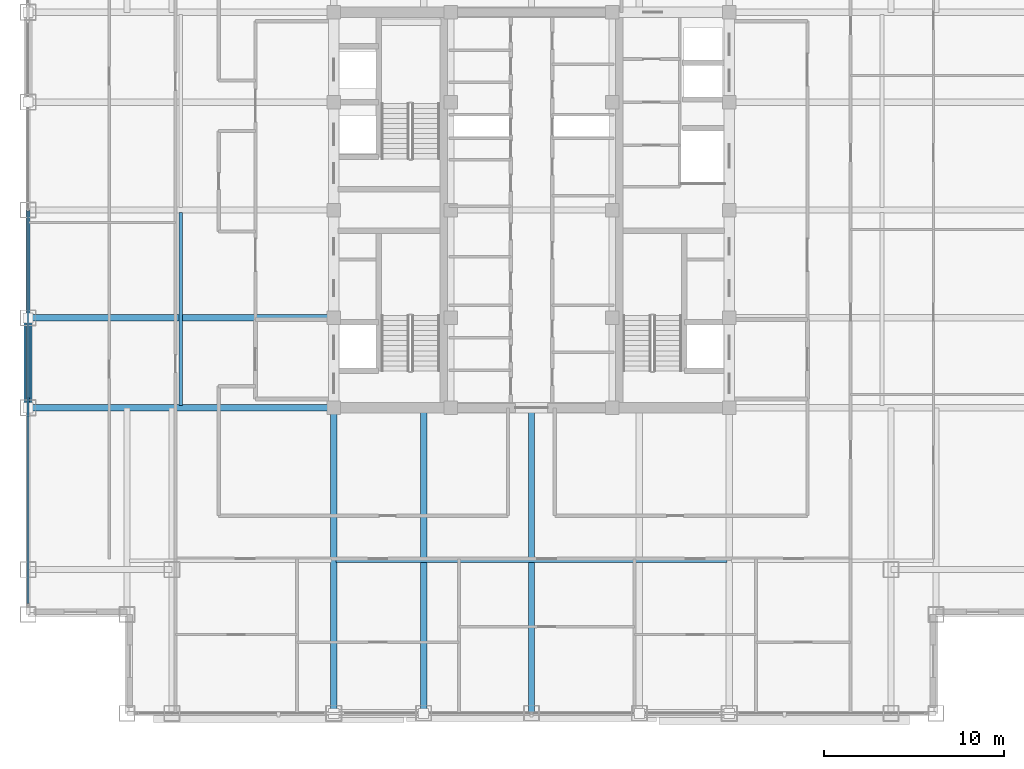
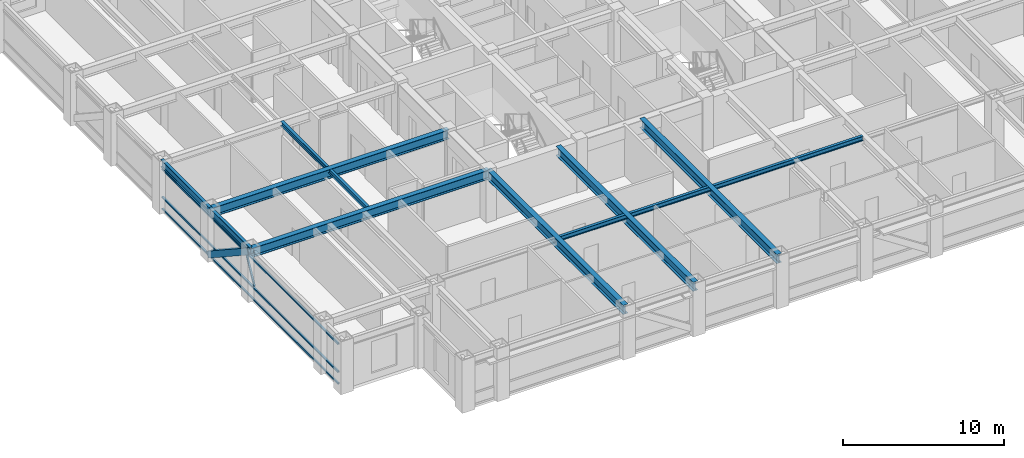
# One storey, part 5 of 27: 9 beams, 5 members, 1 element without a shape of its own.
"""IFC4 building model written with IfcOpenShell, lengths in metres."""

from ifc_helpers import new_model, si_unit, direction, frame, origin, origin_2d, place, context, subcontext, project, spatial, hollow_rectangle, i_section, extrude, source, transform, mapped, material, material_profile, profile_set, type_object, element, aggregate, save


model = new_model("IFC4")

# Units and contexts
model_context = context("Model", 3, precision=1e-05, world=origin(), true_north=direction((0.0, 1.0)))
body_context = subcontext(model_context, "Body", "Model", "MODEL_VIEW")
ifc_project = project(units=[si_unit("LENGTHUNIT", "METRE"), si_unit("AREAUNIT", "SQUARE_METRE"), si_unit("VOLUMEUNIT", "CUBIC_METRE"), si_unit("PLANEANGLEUNIT", "RADIAN"), si_unit("MASSUNIT", "GRAM", prefix="KILO")], contexts=[model_context])

# Site, building, storey
site_placement = place(None, origin())
site = spatial("IfcSite", under=ifc_project, at=site_placement, CompositionType="ELEMENT")
building_placement = place(site_placement, origin())
building = spatial("IfcBuilding", under=site, at=building_placement, Name="Khorayat Bourse Tower", CompositionType="ELEMENT")
storey_placement = place(building_placement, frame((0.0, 0.0, 285.5)))
storey = spatial("IfcBuildingStorey", under=building, at=storey_placement, Name="L67", CompositionType="ELEMENT", Elevation=285.5)

# Member
ifc_material_1 = material(Name="Steel EN 10025-4 S460M", Category="steel")
ifc_material_profile_1 = material_profile(ifc_material_1, hollow_rectangle(XDim=0.449951171875, YDim=0.449951171875, WallThickness=0.02490234375, at=origin_2d()), Name="HSS 450x450x25")
ifc_profile_set_1 = profile_set([ifc_material_profile_1], Name="Steel EN 10025-4 S460M")
member_type_1 = type_object("IfcMemberType", Name="MBR-TUBE-450", PredefinedType="BRACE", material=ifc_profile_set_1)
shared_shape_1 = source(origin(), body_context, "Body", "SweptSolid", [
    extrude(hollow_rectangle(XDim=0.449951171875, YDim=0.449951171875, WallThickness=0.02490234375, at=origin_2d()), origin(), (0.0, 0.0, 1.0), 5.979736328125),
])
member_1_placement = place(storey_placement, frame((-28.0, -11.0, 3.530029296875), z_axis=(0.0, 0.836141536525, -0.548513747227), x_axis=(-1.0, 0.0, 0.0)))
element("IfcMember", 1, at=member_1_placement, inside=storey, type_object=member_type_1, Name="L67 Perimeter Tube Brace 05", PredefinedType="BRACE", context=body_context, shape_type="MappedRepresentation", body=[
    mapped(shared_shape_1, transform((0.0, 0.0, 0.0), scale=1.0)),
])

# Beams
ifc_material_2 = material(Name="Steel ASTM A992 Grade 50", Category="steel")
ifc_material_profile_2 = material_profile(ifc_material_2, i_section(OverallWidth=0.35498046875, OverallDepth=0.695068359375, WebThickness=0.015380859375, FlangeThickness=0.02490234375, FilletRadius=0.01806640625, at=origin_2d()), Name="W690X217")
ifc_profile_set_2 = profile_set([ifc_material_profile_2], Name="Steel ASTM A992 Grade 50")
beam_type_1 = type_object("IfcBeamType", Name="BM-GIRD-690", PredefinedType="BEAM", material=ifc_profile_set_2)
shared_shape_2 = source(origin(), body_context, "Body", "SweptSolid", [
    extrude(i_section(OverallWidth=0.35498046875, OverallDepth=0.695068359375, WebThickness=0.015380859375, FlangeThickness=0.02490234375, FilletRadius=0.01806640625, at=origin_2d()), origin(), (0.0, 0.0, 1.0), 17.0),
])
for number, where, z_axis, x_axis, name in (
    (2, (-11.0, -28.0, 3.4326171875), (0.0, 1.0, 0.0), (-1.0, 0.0, 0.0), "L67 BM-GIRD-690 BM-L67-RADY-065"),
    (3, (-6.0, -28.0, 3.4326171875), (0.0, 1.0, 0.0), (-1.0, 0.0, 0.0), "L67 BM-GIRD-690 BM-L67-RADY-067"),
    (4, (0.0, -28.0, 3.4326171875), (0.0, 1.0, 0.0), (-1.0, 0.0, 0.0), "L67 BM-GIRD-690 BM-L67-RADY-069"),
    (5, (-28.0, -11.0, 3.4326171875), (1.0, 0.0, 0.0), (0.0, 1.0, 0.0), "L67 BM-GIRD-690 BM-L67-RADX-075"),
    (6, (-28.0, -6.0, 3.4326171875), (1.0, 0.0, 0.0), (0.0, 1.0, 0.0), "L67 BM-GIRD-690 BM-L67-RADX-077"),
):
    element("IfcBeam", number, at=place(storey_placement, frame(where, z_axis=z_axis, x_axis=x_axis)), inside=storey, type_object=beam_type_1, Name=name, PredefinedType="BEAM", context=body_context, shape_type="MappedRepresentation", body=[
        mapped(shared_shape_2, transform((0.0, 0.0, 0.0), scale=1.0)),
    ])
ifc_material_profile_3 = material_profile(ifc_material_2, i_section(OverallWidth=0.202880859375, OverallDepth=0.346923828125, WebThickness=0.0078125, FlangeThickness=0.013427734375, FilletRadius=0.010009765625, at=origin_2d()), Name="W360X64")
ifc_profile_set_3 = profile_set([ifc_material_profile_3], Name="Steel ASTM A992 Grade 50")
beam_type_2 = type_object("IfcBeamType", Name="BM-JOIST-360", PredefinedType="JOIST", material=ifc_profile_set_3)
shared_shape_3 = source(origin(), body_context, "Body", "SweptSolid", [
    extrude(i_section(OverallWidth=0.202880859375, OverallDepth=0.346923828125, WebThickness=0.0078125, FlangeThickness=0.013427734375, FilletRadius=0.010009765625, at=origin_2d()), origin(), (0.0, 0.0, 1.0), 21.740234375),
])
beam_1_placement = place(storey_placement, frame((-10.8701171875, -19.5, 3.6064453125), z_axis=(1.0, 0.0, 0.0), x_axis=(0.0, 1.0, 0.0)))
element("IfcBeam", 7, at=beam_1_placement, inside=storey, type_object=beam_type_2, Name="L67 BM-JOIST-360 BM-L67-JSTX-097", PredefinedType="JOIST", context=body_context, shape_type="MappedRepresentation", body=[
    mapped(shared_shape_3, transform((0.0, 0.0, 0.0), scale=1.0)),
])
shared_shape_4 = source(origin(), body_context, "Body", "SweptSolid", [
    extrude(i_section(OverallWidth=0.202880859375, OverallDepth=0.346923828125, WebThickness=0.0078125, FlangeThickness=0.013427734375, FilletRadius=0.010009765625, at=origin_2d()), origin(), (0.0, 0.0, 1.0), 10.740234375),
])
beam_2_placement = place(storey_placement, frame((-19.5, -10.8701171875, 3.6064453125), z_axis=(0.0, 1.0, 0.0), x_axis=(-1.0, 0.0, 0.0)))
element("IfcBeam", 8, at=beam_2_placement, inside=storey, type_object=beam_type_2, Name="L67 BM-JOIST-360 BM-L67-JSTY-102", PredefinedType="JOIST", context=body_context, shape_type="MappedRepresentation", body=[
    mapped(shared_shape_4, transform((0.0, 0.0, 0.0), scale=1.0)),
])
ifc_material_profile_4 = material_profile(ifc_material_2, i_section(OverallWidth=0.214111328125, OverallDepth=0.549072265625, WebThickness=0.0146484375, FlangeThickness=0.023681640625, FilletRadius=0.013916015625, at=origin_2d()), Name="W530X138")
ifc_profile_set_4 = profile_set([ifc_material_profile_4], Name="Steel ASTM A992 Grade 50")
beam_type_3 = type_object("IfcBeamType", Name="BM-SPAN-530", PredefinedType="SPANDREL", material=ifc_profile_set_4)
shared_shape_5 = source(origin(), body_context, "Body", "SweptSolid", [
    extrude(i_section(OverallWidth=0.214111328125, OverallDepth=0.549072265625, WebThickness=0.0146484375, FlangeThickness=0.023681640625, FilletRadius=0.013916015625, at=origin_2d()), origin(), (0.0, 0.0, 1.0), 5.0),
])
beam_3_placement = place(storey_placement, frame((-28.0, -11.0, 3.505615234375), z_axis=(0.0, 1.0, 0.0), x_axis=(-1.0, 0.0, 0.0)))
element("IfcBeam", 9, at=beam_3_placement, inside=storey, type_object=beam_type_3, Name="L67 BM-SPAN-530 BM-L67-SPN-059", PredefinedType="SPANDREL", context=body_context, shape_type="MappedRepresentation", body=[
    mapped(shared_shape_5, transform((0.0, 0.0, 0.0), scale=1.0)),
])
shared_shape_6 = source(origin(), body_context, "Body", "SweptSolid", [
    extrude(i_section(OverallWidth=0.214111328125, OverallDepth=0.549072265625, WebThickness=0.0146484375, FlangeThickness=0.023681640625, FilletRadius=0.013916015625, at=origin_2d()), origin(), (0.0, 0.0, 1.0), 6.0),
])
beam_4_placement = place(storey_placement, frame((-28.0, -6.0, 3.505615234375), z_axis=(0.0, 1.0, 0.0), x_axis=(-1.0, 0.0, 0.0)))
element("IfcBeam", 10, at=beam_4_placement, inside=storey, type_object=beam_type_3, Name="L67 BM-SPAN-530 BM-L67-SPN-058", PredefinedType="SPANDREL", context=body_context, shape_type="MappedRepresentation", body=[
    mapped(shared_shape_6, transform((0.0, 0.0, 0.0), scale=1.0)),
])

# Curtain wall, members
ifc_material_3 = material(Name="Aluminium EN AW-6063 T6", Category="aluminium")
curtain_wall_type = type_object("IfcCurtainWallType", Name="CW-SYS-04", PredefinedType="NOTDEFINED", material=ifc_material_3)
curtain_wall_placement = place(storey_placement, origin())
curtain_wall = element("IfcCurtainWall", 11, at=curtain_wall_placement, inside=storey, type_object=curtain_wall_type, Name="L67 Curtain Wall CW-L67-W1", PredefinedType="NOTDEFINED")
ifc_material_profile_5 = material_profile(ifc_material_3, hollow_rectangle(XDim=0.1201171875, YDim=0.1201171875, WallThickness=0.0048828125, at=origin_2d()), Name="ALU 120x120x5")
ifc_profile_set_5 = profile_set([ifc_material_profile_5], Name="Aluminium EN AW-6063 T6")
member_type_2 = type_object("IfcMemberType", Name="CWM-DIAG-120", PredefinedType="MULLION", material=ifc_profile_set_5)
shared_shape_7 = source(origin(), body_context, "Body", "SweptSolid", [
    extrude(hollow_rectangle(XDim=0.1201171875, YDim=0.1201171875, WallThickness=0.0048828125, at=origin_2d()), origin(), (0.0, 0.0, 1.0), 2.0791015625),
])
member_2_placement = place(storey_placement, frame((-28.0, -11.4541015625, 1.090087890625), z_axis=(0.0, 0.465717394116, 0.884933505309), x_axis=(-1.0, 0.0, 0.0)))
member_2 = element("IfcMember", 12, at=member_2_placement, type_object=member_type_2, Name="CW-L67-W1 Faceted Diagonal Mullion 1", PredefinedType="MULLION", context=body_context, shape_type="MappedRepresentation", body=[
    mapped(shared_shape_7, transform((0.0, 0.0, 0.0), scale=1.0)),
])
ifc_material_profile_6 = material_profile(ifc_material_3, hollow_rectangle(XDim=0.1201171875, YDim=0.1201171875, WallThickness=0.0048828125, at=origin_2d()), Name="ALU 120x120x5")
ifc_profile_set_6 = profile_set([ifc_material_profile_6], Name="Aluminium EN AW-6063 T6")
member_type_3 = type_object("IfcMemberType", Name="CWT-HORZ-120", PredefinedType="USERDEFINED", material=ifc_profile_set_6)
shared_shape_8 = source(origin(), body_context, "Body", "SweptSolid", [
    extrude(hollow_rectangle(XDim=0.1201171875, YDim=0.1201171875, WallThickness=0.0048828125, at=origin_2d()), origin(), (0.0, 0.0, 1.0), 21.81982421875),
])
member_3_placement = place(storey_placement, frame((-28.0, -21.8798828125, 0.06005859375), z_axis=(0.0, 1.0, 0.0), x_axis=(-1.0, 0.0, 0.0)))
member_3 = element("IfcMember", 13, at=member_3_placement, type_object=member_type_3, Name="CW-L67-W1 Horizontal Transom 1-1", ObjectType="TRANSOM", PredefinedType="USERDEFINED", context=body_context, shape_type="MappedRepresentation", body=[
    mapped(shared_shape_8, transform((0.0, 0.0, 0.0), scale=1.0)),
])
member_4_placement = place(storey_placement, frame((-28.0, -21.8798828125, 0.949951171875), z_axis=(0.0, 1.0, 0.0), x_axis=(-1.0, 0.0, 0.0)))
member_4 = element("IfcMember", 14, at=member_4_placement, type_object=member_type_3, Name="CW-L67-W1 Horizontal Transom 1-2", ObjectType="TRANSOM", PredefinedType="USERDEFINED", context=body_context, shape_type="MappedRepresentation", body=[
    mapped(shared_shape_8, transform((0.0, 0.0, 0.0), scale=1.0)),
])
member_5_placement = place(storey_placement, frame((-28.0, -21.8798828125, 3.070068359375), z_axis=(0.0, 1.0, 0.0), x_axis=(-1.0, 0.0, 0.0)))
member_5 = element("IfcMember", 15, at=member_5_placement, type_object=member_type_3, Name="CW-L67-W1 Horizontal Transom 1-3", ObjectType="TRANSOM", PredefinedType="USERDEFINED", context=body_context, shape_type="MappedRepresentation", body=[
    mapped(shared_shape_8, transform((0.0, 0.0, 0.0), scale=1.0)),
])
aggregate(curtain_wall, [member_3, member_4, member_5, member_2])

save(model, "model.ifc")
